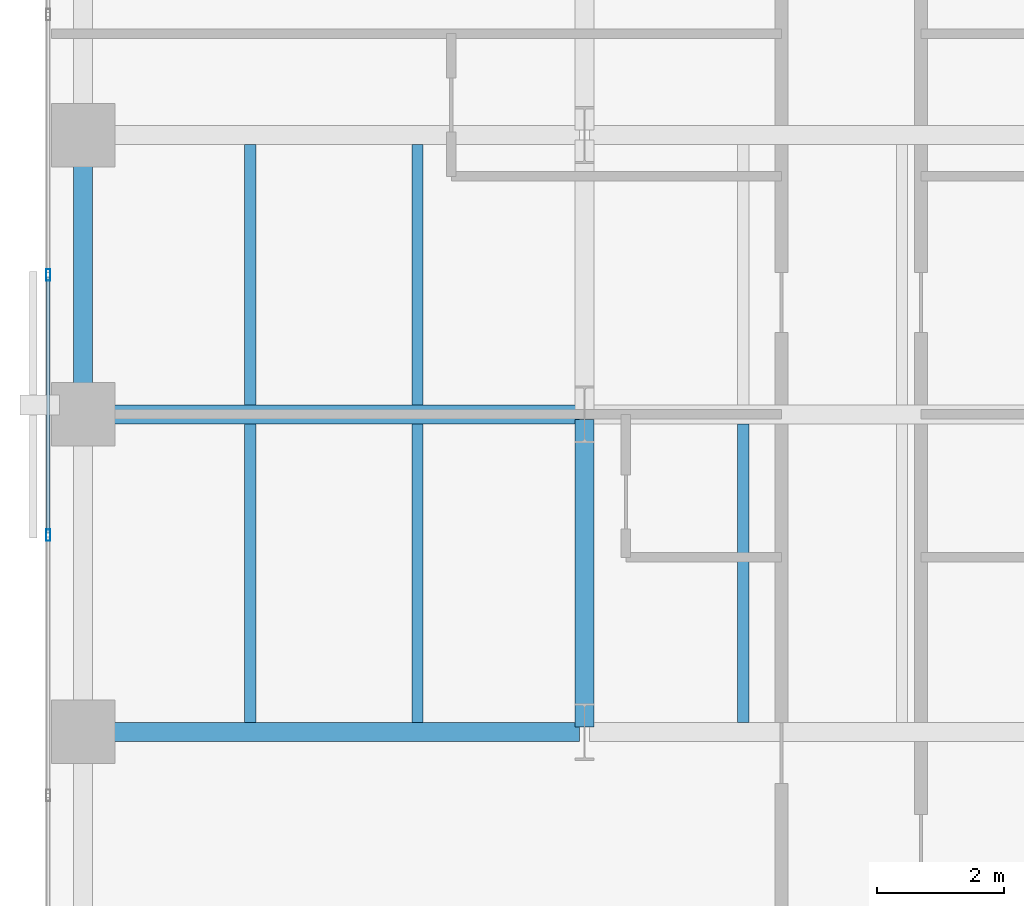
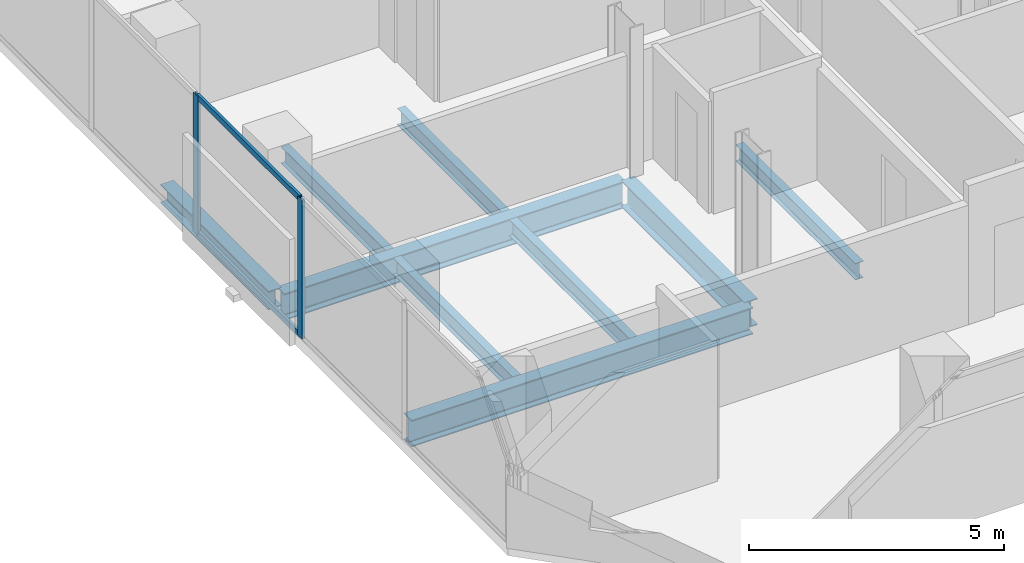
# One storey, part 4 of 32: 9 beams, 4 members, 1 element without a shape of its own.
"""IFC4 building model written with IfcOpenShell, lengths in metres."""

from ifc_helpers import new_model, si_unit, direction, frame, origin, origin_2d, place, context, subcontext, project, spatial, hollow_rectangle, i_section, extrude, material, layer, layer_set, material_profile, profile_set, type_object, element, aggregate, save


model = new_model("IFC4")

# Units and contexts
model_context = context("Model", 3, precision=1e-05, world=origin(), true_north=direction((0.0, 1.0)))
body_context = subcontext(model_context, "Body", "Model", "MODEL_VIEW")
ifc_project = project(units=[si_unit("LENGTHUNIT", "METRE"), si_unit("AREAUNIT", "SQUARE_METRE"), si_unit("VOLUMEUNIT", "CUBIC_METRE"), si_unit("PLANEANGLEUNIT", "RADIAN"), si_unit("MASSUNIT", "GRAM", prefix="KILO")], contexts=[model_context])

# Site, building, storey
site_placement = place(None, origin())
site = spatial("IfcSite", under=ifc_project, at=site_placement, CompositionType="ELEMENT")
building_placement = place(site_placement, origin())
building = spatial("IfcBuilding", under=site, at=building_placement, Name="Catumbela Crestline Tower", CompositionType="ELEMENT")
storey_placement = place(building_placement, frame((0.0, 0.0, 29.4)))
storey = spatial("IfcBuildingStorey", under=building, at=storey_placement, Name="L06", CompositionType="ELEMENT", Elevation=29.4)

# Beams
ifc_material_1 = material(Name="Structural steel S355J2", Category="steel")
ifc_material_profile_1 = material_profile(ifc_material_1, i_section(OverallWidth=0.3, OverallDepth=0.64, WebThickness=0.0135, FlangeThickness=0.026, FilletRadius=0.027, at=origin_2d()), Name="HEA 650")
ifc_profile_set_1 = profile_set([ifc_material_profile_1], Name="Structural steel S355J2")
beam_type_1 = type_object("IfcBeamType", Name="BG-HEA650", PredefinedType="BEAM", material=ifc_profile_set_1)
for number, where, z_axis, x_axis, name in (
    (1, (0.68, 8.6, -0.58), (1.0, 0.0, 0.0), (0.0, 1.0, 0.0), "L06 Beam BM-L06-WEW48"),
    (2, (0.68, 13.6, -0.58), (1.0, 0.0, 0.0), (0.0, 1.0, 0.0), "L06 Beam BM-L06-WEW51"),
):
    element("IfcBeam", number, at=place(storey_placement, frame(where, z_axis=z_axis, x_axis=x_axis)), inside=storey, type_object=beam_type_1, Name=name, PredefinedType="BEAM", context=body_context, shape_type="SweptSolid", body=[
        extrude(i_section(OverallWidth=0.3, OverallDepth=0.64, WebThickness=0.0135, FlangeThickness=0.026, FilletRadius=0.027, at=origin_2d()), origin(), (0.0, 0.0, 1.0), 7.74),
    ])
beam_1_placement = place(storey_placement, frame((8.5, 8.68, -0.58), z_axis=(0.0, 1.0, 0.0), x_axis=(-1.0, 0.0, 0.0)))
element("IfcBeam", 3, at=beam_1_placement, inside=storey, type_object=beam_type_1, Name="L06 Beam BM-L06-WNS61", PredefinedType="BEAM", context=body_context, shape_type="SweptSolid", body=[
    extrude(i_section(OverallWidth=0.3, OverallDepth=0.64, WebThickness=0.0135, FlangeThickness=0.026, FilletRadius=0.027, at=origin_2d()), origin(), (0.0, 0.0, 1.0), 4.84),
])
ifc_material_profile_2 = material_profile(ifc_material_1, i_section(OverallWidth=0.18, OverallDepth=0.4, WebThickness=0.0086, FlangeThickness=0.0135, FilletRadius=0.021, at=origin_2d()), Name="IPE 400")
ifc_profile_set_2 = profile_set([ifc_material_profile_2], Name="Structural steel S355J2")
beam_type_2 = type_object("IfcBeamType", Name="BJ-IPE400", PredefinedType="JOIST", material=ifc_profile_set_2)
for number, where, z_axis, x_axis, name in (
    (4, (3.233, 8.747, -0.46), (0.0, 1.0, 0.0), (-1.0, 0.0, 0.0), "L06 Joist JS-L06-WG70"),
    (5, (5.867, 8.747, -0.46), (0.0, 1.0, 0.0), (-1.0, 0.0, 0.0), "L06 Joist JS-L06-WG71"),
    (6, (11.0, 8.747, -0.46), (0.0, 1.0, 0.0), (-1.0, 0.0, 0.0), "L06 Joist JS-L06-WG72"),
):
    element("IfcBeam", number, at=place(storey_placement, frame(where, z_axis=z_axis, x_axis=x_axis)), inside=storey, type_object=beam_type_2, Name=name, PredefinedType="JOIST", context=body_context, shape_type="SweptSolid", body=[
        extrude(i_section(OverallWidth=0.18, OverallDepth=0.4, WebThickness=0.0086, FlangeThickness=0.0135, FilletRadius=0.021, at=origin_2d()), origin(), (0.0, 0.0, 1.0), 4.706),
    ])
for number, where, z_axis, x_axis, name in (
    (7, (3.233, 13.747, -0.46), (0.0, 1.0, 0.0), (-1.0, 0.0, 0.0), "L06 Joist JS-L06-WG76"),
    (8, (5.867, 13.747, -0.46), (0.0, 1.0, 0.0), (-1.0, 0.0, 0.0), "L06 Joist JS-L06-WG77"),
):
    element("IfcBeam", number, at=place(storey_placement, frame(where, z_axis=z_axis, x_axis=x_axis)), inside=storey, type_object=beam_type_2, Name=name, PredefinedType="JOIST", context=body_context, shape_type="SweptSolid", body=[
        extrude(i_section(OverallWidth=0.18, OverallDepth=0.4, WebThickness=0.0086, FlangeThickness=0.0135, FilletRadius=0.021, at=origin_2d()), origin(), (0.0, 0.0, 1.0), 4.106),
    ])

# Curtain wall, members
ifc_material_2 = material(Name="Aluminium alloy AW-6060-T66", Category="aluminium")
ifc_layer = layer(ifc_material_2, 0.18, Name="Aluminium alloy AW-6060-T66")
ifc_layer_set = layer_set([ifc_layer], Name="Aluminium alloy AW-6060-T66")
curtain_wall_type = type_object("IfcCurtainWallType", Name="CWU-Z1", PredefinedType="USERDEFINED", material=ifc_layer_set)
curtain_wall_placement = place(storey_placement, origin())
curtain_wall = element("IfcCurtainWall", 9, at=curtain_wall_placement, inside=storey, type_object=curtain_wall_type, Name="L06 Unitised Curtain Wall CW-L06-E9S1", ObjectType="UNITISED", PredefinedType="USERDEFINED")
ifc_material_profile_3 = material_profile(ifc_material_2, hollow_rectangle(XDim=0.065, YDim=0.18, WallThickness=0.004, at=origin_2d()), Name="ALU 180x65x4")
ifc_profile_set_3 = profile_set([ifc_material_profile_3], Name="Aluminium alloy AW-6060-T66")
member_type_1 = type_object("IfcMemberType", Name="MUL-180X65", PredefinedType="MULLION", material=ifc_profile_set_3)
member_1_placement = place(storey_placement, frame((0.05, 15.8, 0.0), z_axis=(0.0, 0.0, 1.0), x_axis=(1.0, 0.0, 0.0)))
member_1 = element("IfcMember", 10, at=member_1_placement, type_object=member_type_1, Name="CWU-Z1 mullion 8", PredefinedType="MULLION", context=body_context, shape_type="SweptSolid", body=[
    extrude(hollow_rectangle(XDim=0.065, YDim=0.18, WallThickness=0.004, at=origin_2d()), origin(), (0.0, 0.0, 1.0), 3.33),
])
member_2_placement = place(storey_placement, frame((0.05, 11.7, 0.0), z_axis=(0.0, 0.0, 1.0), x_axis=(1.0, 0.0, 0.0)))
member_2 = element("IfcMember", 11, at=member_2_placement, type_object=member_type_1, Name="CWU-Z1 mullion 9", PredefinedType="MULLION", context=body_context, shape_type="SweptSolid", body=[
    extrude(hollow_rectangle(XDim=0.065, YDim=0.18, WallThickness=0.004, at=origin_2d()), origin(), (0.0, 0.0, 1.0), 3.33),
])

# Beam
ifc_material_profile_4 = material_profile(ifc_material_1, i_section(OverallWidth=0.3, OverallDepth=0.45, WebThickness=0.014, FlangeThickness=0.026, FilletRadius=0.027, at=origin_2d()), Name="HEB 450")
ifc_profile_set_4 = profile_set([ifc_material_profile_4], Name="Structural steel S355J2")
beam_type_3 = type_object("IfcBeamType", Name="BS-HEB450", PredefinedType="SPANDREL", material=ifc_profile_set_4)
beam_2_placement = place(storey_placement, frame((0.6, 13.68, -0.485), z_axis=(0.0, 1.0, 0.0), x_axis=(-1.0, 0.0, 0.0)))
element("IfcBeam", 12, at=beam_2_placement, inside=storey, type_object=beam_type_3, Name="L06 Spandrel SP-L06-WNS59", PredefinedType="SPANDREL", context=body_context, shape_type="SweptSolid", body=[
    extrude(i_section(OverallWidth=0.3, OverallDepth=0.45, WebThickness=0.014, FlangeThickness=0.026, FilletRadius=0.027, at=origin_2d()), origin(), (0.0, 0.0, 1.0), 4.24),
])

# Member
ifc_material_profile_5 = material_profile(ifc_material_2, hollow_rectangle(XDim=0.06, YDim=0.14, WallThickness=0.004, at=origin_2d()), Name="ALU 140x60x4")
ifc_profile_set_5 = profile_set([ifc_material_profile_5], Name="Aluminium alloy AW-6060-T66")
member_type_2 = type_object("IfcMemberType", Name="TRN-140X60", PredefinedType="USERDEFINED", material=ifc_profile_set_5)
member_3_placement = place(storey_placement, frame((0.05, 15.7675, 0.03), z_axis=(0.0, -1.0, 0.0), x_axis=(1.0, 0.0, 0.0)))
member_3 = element("IfcMember", 13, at=member_3_placement, type_object=member_type_2, Name="CWU-Z1 transom 8.1", ObjectType="TRANSOM", PredefinedType="USERDEFINED", context=body_context, shape_type="SweptSolid", body=[
    extrude(hollow_rectangle(XDim=0.06, YDim=0.14, WallThickness=0.004, at=origin_2d()), origin(), (0.0, 0.0, 1.0), 4.035),
])

member_4_placement = place(storey_placement, frame((0.05, 15.7675, 3.3), z_axis=(0.0, -1.0, 0.0), x_axis=(1.0, 0.0, 0.0)))
member_4 = element("IfcMember", 14, at=member_4_placement, type_object=member_type_2, Name="CWU-Z1 transom 8.2", ObjectType="TRANSOM", PredefinedType="USERDEFINED", context=body_context, shape_type="SweptSolid", body=[
    extrude(hollow_rectangle(XDim=0.06, YDim=0.14, WallThickness=0.004, at=origin_2d()), origin(), (0.0, 0.0, 1.0), 4.035),
])

aggregate(curtain_wall, [member_1, member_2, member_3, member_4])

save(model, "model.ifc")
